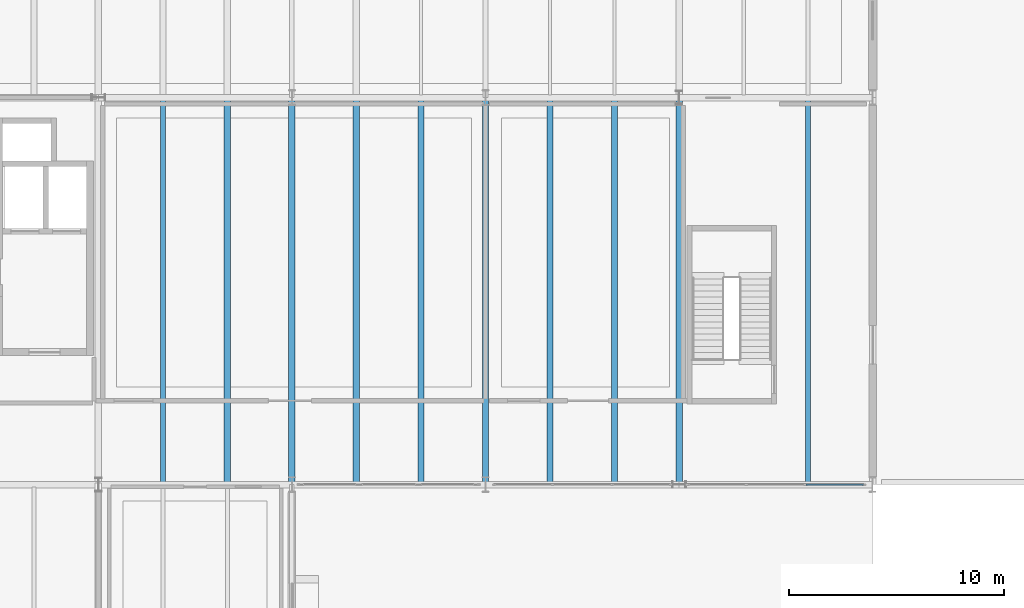
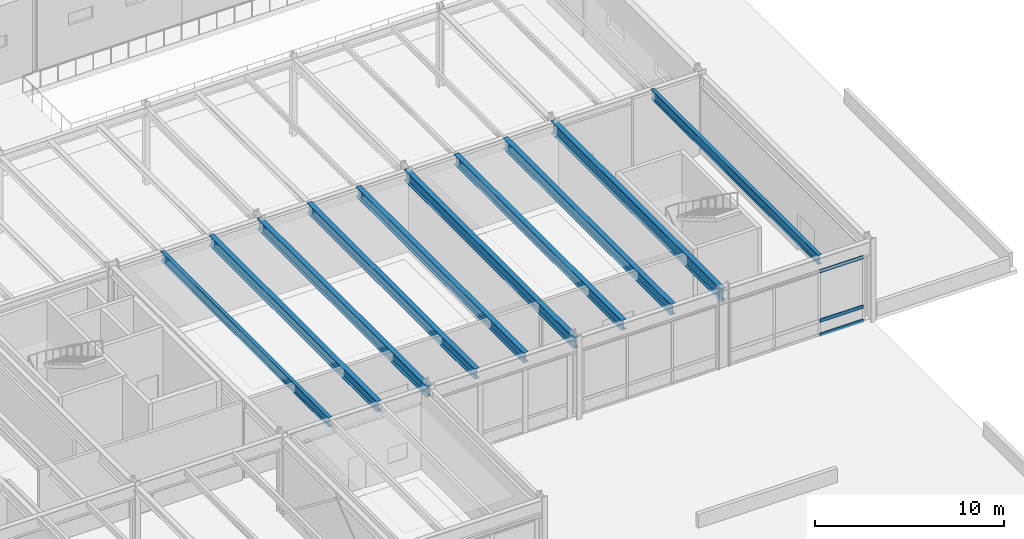
# One storey, part 101 of 143: 10 beams, 3 members, 1 element without a shape of its own.
"""IFC4 building model written with IfcOpenShell, lengths in metres."""

from ifc_helpers import new_model, si_unit, direction, frame, origin, origin_2d, place, context, subcontext, project, spatial, hollow_rectangle, i_section, extrude, material, layer, layer_set, material_profile, profile_set, type_object, element, aggregate, save


model = new_model("IFC4")

# Units and contexts
model_context = context("Model", 3, precision=1e-05, world=origin(), true_north=direction((0.0, 1.0)))
body_context = subcontext(model_context, "Body", "Model", "MODEL_VIEW")
ifc_project = project(units=[si_unit("LENGTHUNIT", "METRE"), si_unit("AREAUNIT", "SQUARE_METRE"), si_unit("VOLUMEUNIT", "CUBIC_METRE"), si_unit("PLANEANGLEUNIT", "RADIAN"), si_unit("MASSUNIT", "GRAM", prefix="KILO")], contexts=[model_context])

# Site, building, storey
site_placement = place(None, origin())
site = spatial("IfcSite", under=ifc_project, at=site_placement, CompositionType="ELEMENT")
building_placement = place(site_placement, origin())
building = spatial("IfcBuilding", under=site, at=building_placement, Name="Montelvaro Courts of Justice", CompositionType="ELEMENT")
storey_placement = place(building_placement, origin())
storey = spatial("IfcBuildingStorey", under=building, at=storey_placement, Name="L00", CompositionType="ELEMENT", Elevation=0.0)

# Beams
ifc_material_1 = material(Name="Steel S355", Category="steel")
ifc_material_profile_1 = material_profile(ifc_material_1, i_section(OverallWidth=0.300048828125, OverallDepth=0.639892578125, WebThickness=0.013427734375, FlangeThickness=0.02587890625, at=origin_2d()), Name="HEA 650")
ifc_profile_set_1 = profile_set([ifc_material_profile_1], Name="Steel S355")
beam_type_1 = type_object("IfcBeamType", Name="Beam_HEA650", PredefinedType="USERDEFINED", material=ifc_profile_set_1)
for number, where, z_axis, x_axis, name in (
    (1, (141.0, 78.110107421875, 4.780029296875), (0.0, 1.0, 0.0), (-1.0, 0.0, 0.0), "Beam B-22 L00"),
    (2, (147.0, 78.110107421875, 4.780029296875), (0.0, 1.0, 0.0), (-1.0, 0.0, 0.0), "Beam B-22 L00"),
):
    element("IfcBeam", number, at=place(storey_placement, frame(where, z_axis=z_axis, x_axis=x_axis)), inside=storey, type_object=beam_type_1, Name=name, ObjectType="GIRDER", PredefinedType="USERDEFINED", context=body_context, shape_type="SweptSolid", body=[
        extrude(i_section(OverallWidth=0.300048828125, OverallDepth=0.639892578125, WebThickness=0.013427734375, FlangeThickness=0.02587890625, at=origin_2d()), origin(), (0.0, 0.0, 1.0), 17.77978515625),
    ])
ifc_material_profile_2 = material_profile(ifc_material_1, i_section(OverallWidth=0.300048828125, OverallDepth=0.68994140625, WebThickness=0.014404296875, FlangeThickness=0.027099609375, at=origin_2d()), Name="HEA 700")
ifc_profile_set_2 = profile_set([ifc_material_profile_2], Name="Steel S355")
beam_type_2 = type_object("IfcBeamType", Name="Beam_HEA700", PredefinedType="USERDEFINED", material=ifc_profile_set_2)
beam_1_placement = place(storey_placement, frame((144.0, 78.0, 4.7548828125), z_axis=(0.0, 1.0, 0.0), x_axis=(-1.0, 0.0, 0.0)))
element("IfcBeam", 3, at=beam_1_placement, inside=storey, type_object=beam_type_2, Name="Beam B-23 L00", ObjectType="GIRDER", PredefinedType="USERDEFINED", context=body_context, shape_type="SweptSolid", body=[
    extrude(i_section(OverallWidth=0.300048828125, OverallDepth=0.68994140625, WebThickness=0.014404296875, FlangeThickness=0.027099609375, at=origin_2d()), origin(), (0.0, 0.0, 1.0), 18.0),
])
beam_2_placement = place(storey_placement, frame((150.0, 78.110107421875, 4.7548828125), z_axis=(0.0, 1.0, 0.0), x_axis=(-1.0, 0.0, 0.0)))
element("IfcBeam", 4, at=beam_2_placement, inside=storey, type_object=beam_type_2, Name="Beam B-23 L00", ObjectType="GIRDER", PredefinedType="USERDEFINED", context=body_context, shape_type="SweptSolid", body=[
    extrude(i_section(OverallWidth=0.300048828125, OverallDepth=0.68994140625, WebThickness=0.014404296875, FlangeThickness=0.027099609375, at=origin_2d()), origin(), (0.0, 0.0, 1.0), 17.77978515625),
])
ifc_material_profile_3 = material_profile(ifc_material_1, i_section(OverallWidth=0.300048828125, OverallDepth=0.7900390625, WebThickness=0.014892578125, FlangeThickness=0.028076171875, at=origin_2d()), Name="HEA 800")
ifc_profile_set_3 = profile_set([ifc_material_profile_3], Name="Steel S355")
beam_type_3 = type_object("IfcBeamType", Name="Beam_HEA800", PredefinedType="USERDEFINED", material=ifc_profile_set_3)
beam_3_placement = place(storey_placement, frame((153.0, 78.0, 4.705078125), z_axis=(0.0, 1.0, 0.0), x_axis=(-1.0, 0.0, 0.0)))
element("IfcBeam", 5, at=beam_3_placement, inside=storey, type_object=beam_type_3, Name="Beam B-24 L00", ObjectType="GIRDER", PredefinedType="USERDEFINED", context=body_context, shape_type="SweptSolid", body=[
    extrude(i_section(OverallWidth=0.300048828125, OverallDepth=0.7900390625, WebThickness=0.014892578125, FlangeThickness=0.028076171875, at=origin_2d()), origin(), (0.0, 0.0, 1.0), 18.0),
])
ifc_material_profile_4 = material_profile(ifc_material_1, i_section(OverallWidth=0.300048828125, OverallDepth=0.64990234375, WebThickness=0.01611328125, FlangeThickness=0.031005859375, at=origin_2d()), Name="HEB 650")
ifc_profile_set_4 = profile_set([ifc_material_profile_4], Name="Steel S355")
beam_type_4 = type_object("IfcBeamType", Name="Beam_HEB650", PredefinedType="USERDEFINED", material=ifc_profile_set_4)
for number, where, z_axis, x_axis, name in (
    (6, (132.0, 78.110107421875, 4.77490234375), (0.0, 1.0, 0.0), (-1.0, 0.0, 0.0), "Beam B-27 L00"),
    (7, (138.0, 78.110107421875, 4.77490234375), (0.0, 1.0, 0.0), (-1.0, 0.0, 0.0), "Beam B-27 L00"),
):
    element("IfcBeam", number, at=place(storey_placement, frame(where, z_axis=z_axis, x_axis=x_axis)), inside=storey, type_object=beam_type_4, Name=name, ObjectType="GIRDER", PredefinedType="USERDEFINED", context=body_context, shape_type="SweptSolid", body=[
        extrude(i_section(OverallWidth=0.300048828125, OverallDepth=0.64990234375, WebThickness=0.01611328125, FlangeThickness=0.031005859375, at=origin_2d()), origin(), (0.0, 0.0, 1.0), 17.77978515625),
    ])
ifc_material_profile_5 = material_profile(ifc_material_1, i_section(OverallWidth=0.300048828125, OverallDepth=0.699951171875, WebThickness=0.01708984375, FlangeThickness=0.031982421875, at=origin_2d()), Name="HEB 700")
ifc_profile_set_5 = profile_set([ifc_material_profile_5], Name="Steel S355")
beam_type_5 = type_object("IfcBeamType", Name="Beam_HEB700", PredefinedType="USERDEFINED", material=ifc_profile_set_5)
beam_4_placement = place(storey_placement, frame((135.0, 78.0, 4.75), z_axis=(0.0, 1.0, 0.0), x_axis=(-1.0, 0.0, 0.0)))
element("IfcBeam", 8, at=beam_4_placement, inside=storey, type_object=beam_type_5, Name="Beam B-28 L00", ObjectType="GIRDER", PredefinedType="USERDEFINED", context=body_context, shape_type="SweptSolid", body=[
    extrude(i_section(OverallWidth=0.300048828125, OverallDepth=0.699951171875, WebThickness=0.01708984375, FlangeThickness=0.031982421875, at=origin_2d()), origin(), (0.0, 0.0, 1.0), 18.0),
])
ifc_material_profile_6 = material_profile(ifc_material_1, i_section(OverallWidth=0.219970703125, OverallDepth=0.60009765625, WebThickness=0.011962890625, FlangeThickness=0.01904296875, at=origin_2d()), Name="IPE 600")
ifc_profile_set_6 = profile_set([ifc_material_profile_6], Name="Steel S355")
beam_type_6 = type_object("IfcBeamType", Name="Beam_IPE600", PredefinedType="USERDEFINED", material=ifc_profile_set_6)
for number, where, z_axis, x_axis, name in (
    (9, (129.0, 78.110107421875, 4.800048828125), (0.0, 1.0, 0.0), (-1.0, 0.0, 0.0), "Beam B-12 L00"),
    (10, (159.0, 78.110107421875, 4.800048828125), (0.0, 1.0, 0.0), (-1.0, 0.0, 0.0), "Beam B-12 L00"),
):
    element("IfcBeam", number, at=place(storey_placement, frame(where, z_axis=z_axis, x_axis=x_axis)), inside=storey, type_object=beam_type_6, Name=name, ObjectType="GIRDER", PredefinedType="USERDEFINED", context=body_context, shape_type="SweptSolid", body=[
        extrude(i_section(OverallWidth=0.219970703125, OverallDepth=0.60009765625, WebThickness=0.011962890625, FlangeThickness=0.01904296875, at=origin_2d()), origin(), (0.0, 0.0, 1.0), 17.77978515625),
    ])

# Curtain wall, members
ifc_material_2 = material(Name="Anodised aluminium EN AW-6063", Category="aluminium")
ifc_layer = layer(ifc_material_2, 0.159912109375)
ifc_layer_set = layer_set([ifc_layer], Name="Anodised aluminium EN AW-6063")
curtain_wall_type = type_object("IfcCurtainWallType", Name="CurtainWall_01_827x508", PredefinedType="USERDEFINED", material=ifc_layer_set)
curtain_wall_placement = place(storey_placement, origin())
curtain_wall = element("IfcCurtainWall", 11, at=curtain_wall_placement, inside=storey, type_object=curtain_wall_type, Name="Curtain Wall CW-01 (L00)", ObjectType="CURTAIN WALL", PredefinedType="USERDEFINED")
ifc_material_profile_7 = material_profile(ifc_material_2, hollow_rectangle(XDim=0.074951171875, YDim=0.219970703125, WallThickness=0.005615234375, at=origin_2d()), Name="ALU-T 75x220")
ifc_profile_set_7 = profile_set([ifc_material_profile_7], Name="Anodised aluminium EN AW-6063")
member_type = type_object("IfcMemberType", Name="CurtainWall_Transom_75x220", PredefinedType="USERDEFINED", material=ifc_profile_set_7)
member_1_placement = place(storey_placement, frame((158.908447265625, 78.0, 0.03759765625), z_axis=(1.0, 0.0, 0.0), x_axis=(0.0, 1.0, 0.0)))
member_1 = element("IfcMember", 12, at=member_1_placement, type_object=member_type, Name="CW-01 transom 3.1", ObjectType="TRANSOM", PredefinedType="USERDEFINED", context=body_context, shape_type="SweptSolid", body=[
    extrude(hollow_rectangle(XDim=0.074951171875, YDim=0.219970703125, WallThickness=0.005615234375, at=origin_2d()), origin(), (0.0, 0.0, 1.0), 2.66650390625),
])
member_2_placement = place(storey_placement, frame((158.908447265625, 78.0, 0.949951171875), z_axis=(1.0, 0.0, 0.0), x_axis=(0.0, 1.0, 0.0)))
member_2 = element("IfcMember", 13, at=member_2_placement, type_object=member_type, Name="CW-01 transom 3.2", ObjectType="TRANSOM", PredefinedType="USERDEFINED", context=body_context, shape_type="SweptSolid", body=[
    extrude(hollow_rectangle(XDim=0.074951171875, YDim=0.219970703125, WallThickness=0.005615234375, at=origin_2d()), origin(), (0.0, 0.0, 1.0), 2.66650390625),
])
member_3_placement = place(storey_placement, frame((158.908447265625, 78.0, 4.1474609375), z_axis=(1.0, 0.0, 0.0), x_axis=(0.0, 1.0, 0.0)))
member_3 = element("IfcMember", 14, at=member_3_placement, type_object=member_type, Name="CW-01 transom 3.3", ObjectType="TRANSOM", PredefinedType="USERDEFINED", context=body_context, shape_type="SweptSolid", body=[
    extrude(hollow_rectangle(XDim=0.074951171875, YDim=0.219970703125, WallThickness=0.005615234375, at=origin_2d()), origin(), (0.0, 0.0, 1.0), 2.66650390625),
])
aggregate(curtain_wall, [member_1, member_2, member_3])

save(model, "model.ifc")
